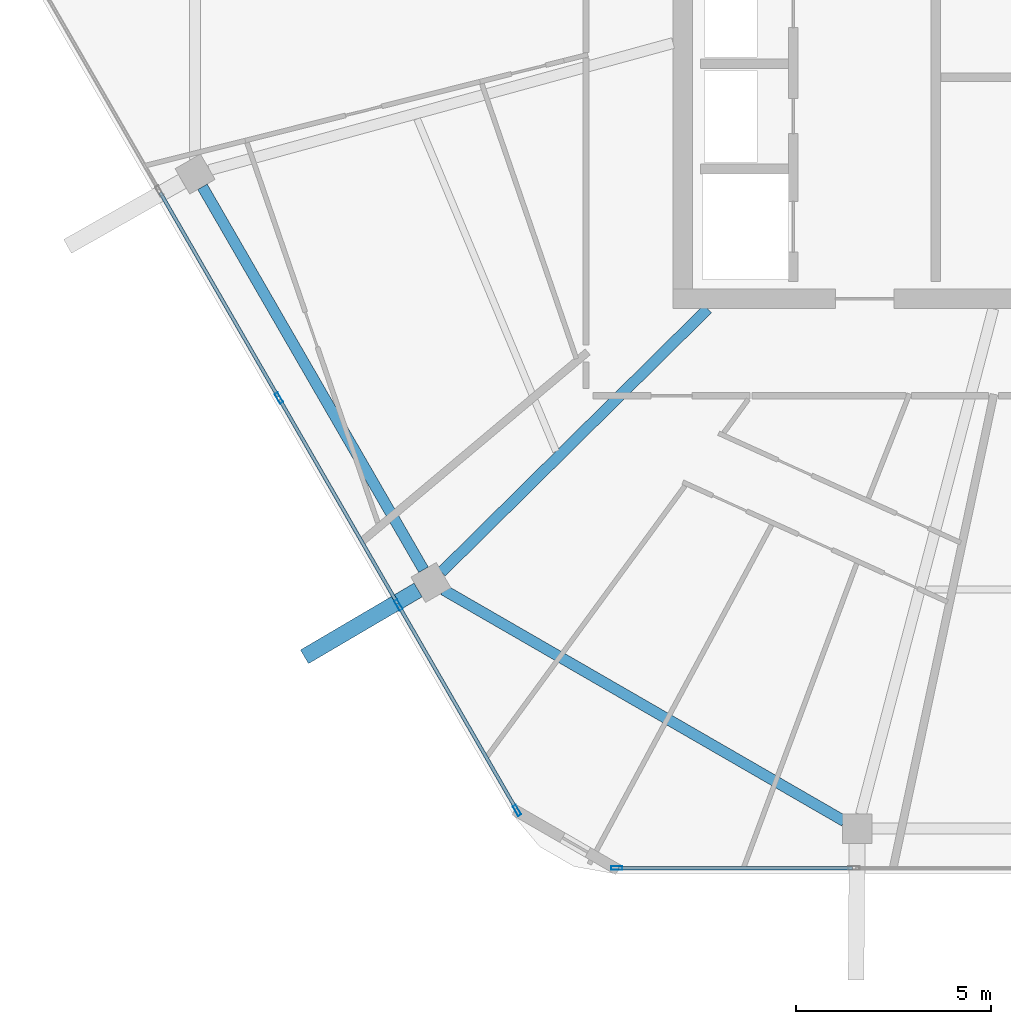
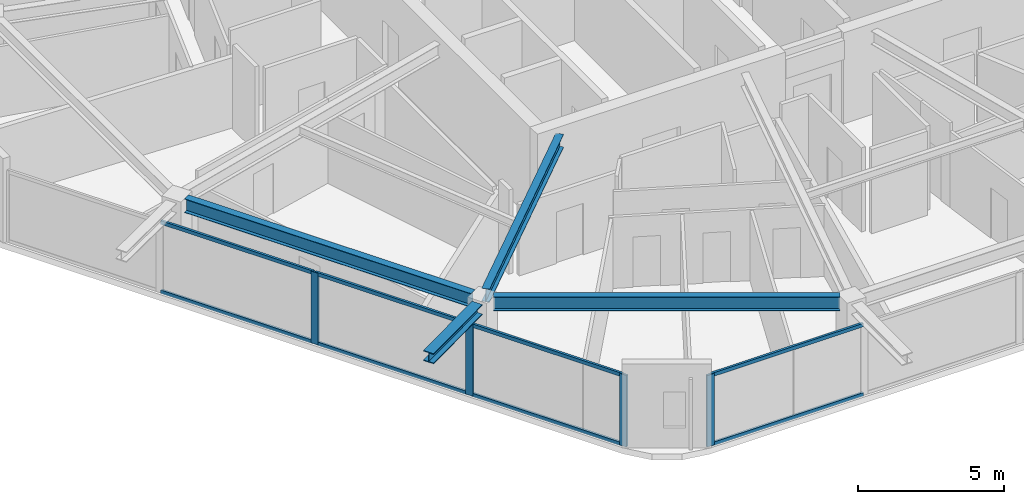
# One storey, part 2 of 23: 12 members, 4 beams, 2 elements without a shape of their own.
"""IFC4 building model written with IfcOpenShell, lengths in metres."""

import ifcopenshell
import ifcopenshell.guid

model = None  # the IFC model being written
_history = None  # IfcOwnerHistory: only IFC2X3 demands one
_inside = {}  # id of a spatial element -> (the spatial element, [elements in it])
_under = {}  # id of a project, library or spatial element -> (it, [spatial elements below it])
_declared = {}  # id of a project -> (the project, [libraries it declares])
_typed = {}  # id of a type object -> (the type object, [elements of that type])
_made_of = {}  # id of a material, layer set ... -> (it, [elements and type objects made of it])


def new_model(schema):
    """Start an empty IFC model of exactly this schema.

    Asked for "IFC4X3", IfcOpenShell would pick the latest addendum, in which some entities
    have other attributes; the version numbers below select the first issue.
    IFC2X3 requires an IfcOwnerHistory on every rooted entity: one is made here for all.
    """
    global model, _history
    if schema == "IFC4X3":
        model = ifcopenshell.file(schema_version=(4, 3, 0, 0))
    else:
        model = ifcopenshell.file(schema=schema)
    _inside.clear()
    _under.clear()
    _declared.clear()
    _typed.clear()
    _made_of.clear()
    _history = None
    if model.schema == "IFC2X3":
        org = make("IfcOrganization", Name="unknown")
        user = make(
            "IfcPersonAndOrganization",
            ThePerson=make("IfcPerson", FamilyName="unknown"),
            TheOrganization=org,
        )
        app = make(
            "IfcApplication",
            ApplicationDeveloper=org,
            Version="unknown",
            ApplicationFullName="unknown",
            ApplicationIdentifier="unknown",
        )
        _history = make(
            "IfcOwnerHistory",
            OwningUser=user,
            OwningApplication=app,
            ChangeAction="ADDED",
            CreationDate=0,
        )
    return model


def make(cls, **values):
    """One entity of the class cls with the attributes given. An attribute that is None is left unset."""
    return model.create_entity(
        cls, **{name: value for name, value in values.items() if value is not None}
    )


def rooted(cls, **values):
    """An entity with a GlobalId (a new one), such as an element, a storey or a relation."""
    return make(cls, GlobalId=ifcopenshell.guid.new(), OwnerHistory=_history, **values)


def si_unit(unit_type, name, prefix=None):
    """IfcSIUnit, for example si_unit("LENGTHUNIT", "METRE", prefix="MILLI")."""
    return make("IfcSIUnit", UnitType=unit_type, Prefix=prefix, Name=name)


def assignment(units):
    """IfcUnitAssignment: the units of a project."""
    return None if units is None else make("IfcUnitAssignment", Units=units)


def point(xyz):
    """IfcCartesianPoint."""
    return None if xyz is None else make("IfcCartesianPoint", Coordinates=xyz)


def direction(xyz):
    """IfcDirection."""
    return None if xyz is None else make("IfcDirection", DirectionRatios=xyz)


def frame(location, z_axis=None, x_axis=None):
    """IfcAxis2Placement3D, a coordinate frame: its origin and axes. An axis left out is left unset."""
    return make(
        "IfcAxis2Placement3D",
        Location=point(location),
        Axis=direction(z_axis),
        RefDirection=direction(x_axis),
    )


def frame_2d(location, x_axis=None):
    """IfcAxis2Placement2D, a coordinate frame in the plane: its origin and x axis."""
    return make(
        "IfcAxis2Placement2D", Location=point(location), RefDirection=direction(x_axis)
    )


def origin():
    """The frame at (0, 0, 0) with its axes left unset."""
    return frame((0.0, 0.0, 0.0))


def origin_2d():
    """The frame at (0, 0) in the plane with its x axis left unset."""
    return frame_2d((0.0, 0.0))


def place(relative_to, where):
    """IfcLocalPlacement: puts the frame where relative to a parent placement (None: the world)."""
    return make(
        "IfcLocalPlacement", PlacementRelTo=relative_to, RelativePlacement=where
    )


def context(
    kind, dimensions, precision=None, world=None, true_north=None, identifier=None
):
    """IfcGeometricRepresentationContext, for example the 3D "Model" context."""
    return make(
        "IfcGeometricRepresentationContext",
        ContextIdentifier=identifier,
        ContextType=kind,
        CoordinateSpaceDimension=dimensions,
        Precision=precision,
        WorldCoordinateSystem=world,
        TrueNorth=true_north,
    )


def subcontext(parent, identifier, kind, view, scale=None):
    """IfcGeometricRepresentationSubContext, for example "Body" below "Model"."""
    return make(
        "IfcGeometricRepresentationSubContext",
        ContextIdentifier=identifier,
        ContextType=kind,
        ParentContext=parent,
        TargetScale=scale,
        TargetView=view,
    )


def project(units=None, contexts=None):
    """IfcProject with its units and contexts."""
    return rooted(
        "IfcProject",
        Name="project",
        RepresentationContexts=contexts,
        UnitsInContext=assignment(units),
    )


def spatial(cls, under=None, at=None, **own):
    """A site, building, storey or space (cls), placed at a placement, below another one or the project."""
    s = rooted(cls, ObjectPlacement=at, **own)
    if under is not None:
        _under.setdefault(under.id(), (under, []))[1].append(s)
    return s


def profile(cls, at=None, kind="AREA", **sizes):
    """A parametric profile (cls). Its sizes go by their IFC names, for example OverallWidth=200.0."""
    return make(cls, ProfileType=kind, Position=at, **sizes)


def hollow_rectangle(**sizes):
    """IfcRectangleHollowProfileDef."""
    return profile("IfcRectangleHollowProfileDef", **sizes)


def i_section(**sizes):
    """IfcIShapeProfileDef."""
    return profile("IfcIShapeProfileDef", **sizes)


def extrude(swept, where, along, depth):
    """IfcExtrudedAreaSolid: the profile swept, set in the frame where, extruded along a direction by depth."""
    return make(
        "IfcExtrudedAreaSolid",
        SweptArea=swept,
        Position=where,
        ExtrudedDirection=direction(along),
        Depth=depth,
    )


def shape(context_of_items, identifier, shape_type, items):
    """IfcShapeRepresentation: the items that make up one representation, for example the "Body"."""
    return make(
        "IfcShapeRepresentation",
        ContextOfItems=context_of_items,
        RepresentationIdentifier=identifier,
        RepresentationType=shape_type,
        Items=items,
    )


def material(Name=None, Category=None):
    """IfcMaterial."""
    return make("IfcMaterial", Name=Name, Category=Category)


def material_profile(
    of_material, cross_section, Name=None, Category=None, Priority=None
):
    """IfcMaterialProfile: a cross section and its material."""
    return make(
        "IfcMaterialProfile",
        Name=Name,
        Material=of_material,
        Profile=cross_section,
        Priority=Priority,
        Category=Category,
    )


def profile_set(profiles, Name=None, composite=None):
    """IfcMaterialProfileSet."""
    return make(
        "IfcMaterialProfileSet",
        Name=Name,
        MaterialProfiles=profiles,
        CompositeProfile=composite,
    )


def made_of(thing, what):
    """Note that an element or type object is made of a material, layer set ...; save() writes the relation."""
    if what is not None:
        _made_of.setdefault(what.id(), (what, []))[1].append(thing)
    return thing


def type_object(cls, material=None, **own):
    """A type object (cls), such as IfcWallType, which elements share."""
    return made_of(rooted(cls, **own), material)


def element(
    cls,
    number,
    at=None,
    inside=None,
    cuts=None,
    type_object=None,
    material=None,
    context=None,
    identifier="Body",
    shape_type=None,
    held_by="IfcProductDefinitionShape",
    body=None,
    shapes=None,
    **own,
):
    """One element of the class cls, such as IfcWall. Its Tag is "e" and its number.

    at: its placement. inside: the storey or other place that contains it. cuts: it is an
    opening in that element (IfcRelVoidsElement). A single representation is given by context,
    identifier, shape_type and body (its items); several are given by shapes. held_by: the class
    of the entity that holds the representations. save() writes the other relations.
    """
    e = rooted(cls, Tag="e%d" % number, ObjectPlacement=at, **own)
    if body is not None:
        shapes = [shape(context, identifier, shape_type, body)]
    if shapes is not None:
        e.Representation = make(held_by, Representations=shapes)
    if inside is not None:
        _inside.setdefault(inside.id(), (inside, []))[1].append(e)
    if cuts is not None:
        rooted(
            "IfcRelVoidsElement", RelatingBuildingElement=cuts, RelatedOpeningElement=e
        )
    if type_object is not None:
        _typed.setdefault(type_object.id(), (type_object, []))[1].append(e)
    return made_of(e, material)


def aggregate(whole, parts):
    """IfcRelAggregates: a whole, such as a stair, and the parts it consists of."""
    return rooted("IfcRelAggregates", RelatingObject=whole, RelatedObjects=parts)


def save(model, path):
    """Write the relations noted so far, then the file.

    IfcRelAggregates (storeys below a building ...), IfcRelContainedInSpatialStructure (elements
    in a storey), IfcRelDefinesByType, IfcRelAssociatesMaterial and IfcRelDeclares: one each for
    every whole, place, type object, material and project.
    """
    for whole, parts in _under.values():
        aggregate(whole, parts)
    for where, things in _inside.values():
        rooted(
            "IfcRelContainedInSpatialStructure",
            RelatedElements=things,
            RelatingStructure=where,
        )
    for kind, things in _typed.values():
        rooted("IfcRelDefinesByType", RelatedObjects=things, RelatingType=kind)
    for what, things in _made_of.values():
        rooted("IfcRelAssociatesMaterial", RelatedObjects=things, RelatingMaterial=what)
    for by, libraries in _declared.values():
        rooted("IfcRelDeclares", RelatingContext=by, RelatedDefinitions=libraries)
    model.write(path)


model = new_model("IFC4")

# Units and contexts
model_context = context("Model", 3, precision=1e-05, world=origin(), true_north=direction((0.0, 1.0)))
body_context = subcontext(model_context, "Body", "Model", "MODEL_VIEW")
ifc_project = project(units=[si_unit("LENGTHUNIT", "METRE"), si_unit("AREAUNIT", "SQUARE_METRE"), si_unit("VOLUMEUNIT", "CUBIC_METRE"), si_unit("PLANEANGLEUNIT", "RADIAN"), si_unit("MASSUNIT", "GRAM", prefix="KILO")], contexts=[model_context])

# Site, building, storey
site_placement = place(None, origin())
site = spatial("IfcSite", under=ifc_project, at=site_placement, CompositionType="ELEMENT")
building_placement = place(site_placement, origin())
building = spatial("IfcBuilding", under=site, at=building_placement, Name="Zuhravey Tower", CompositionType="ELEMENT")
storey_placement = place(building_placement, frame((0.0, 0.0, 350.0)))
storey = spatial("IfcBuildingStorey", under=building, at=storey_placement, Name="L89", CompositionType="ELEMENT", Elevation=350.0)

# Curtain wall, member
ifc_material_1 = material(Name="Thermally broken anodised aluminium", Category="aluminium")
curtain_wall_type = type_object("IfcCurtainWallType", Name="Zone 3-4 High-Rise Curtain Wall CW4", PredefinedType="NOTDEFINED", material=ifc_material_1)
curtain_wall_1_placement = place(storey_placement, origin())
curtain_wall_1 = element("IfcCurtainWall", 1, at=curtain_wall_1_placement, inside=storey, type_object=curtain_wall_type, Name="L89 CW4 CW-L89-F5-1", PredefinedType="NOTDEFINED")
ifc_material_2 = material(Name="Anodised aluminium", Category="aluminium")
ifc_material_profile_1 = material_profile(ifc_material_2, hollow_rectangle(XDim=0.090087890625, YDim=0.284912109375, WallThickness=0.0048828125, at=origin_2d()), Name="ALU-RHS-90x285x5")
ifc_profile_set_1 = profile_set([ifc_material_profile_1], Name="Anodised aluminium")
member_type_1 = type_object("IfcMemberType", Name="Curtain-Wall Mullion 90x180", PredefinedType="MULLION", material=ifc_profile_set_1)
member_1_placement = place(storey_placement, frame((23.8056640625, 7.92578125, 0.0), z_axis=(0.0, 0.0, 1.0), x_axis=(0.0, -1.0, 0.0)))
member_1 = element("IfcMember", 2, at=member_1_placement, type_object=member_type_1, Name="CW4 mullion 5", PredefinedType="MULLION", context=body_context, shape_type="SweptSolid", body=[
    extrude(hollow_rectangle(XDim=0.090087890625, YDim=0.284912109375, WallThickness=0.0048828125, at=origin_2d()), origin(), (0.0, 0.0, 1.0), 2.987060546875),
])

# Curtain wall, members
curtain_wall_2_placement = place(storey_placement, origin())
curtain_wall_2 = element("IfcCurtainWall", 3, at=curtain_wall_2_placement, inside=storey, type_object=curtain_wall_type, Name="L89 CW4 CW-L89-F4-1", PredefinedType="NOTDEFINED")
member_2_placement = place(storey_placement, frame((21.248291015625, 9.40234375, 0.0), z_axis=(0.0, 0.0, 1.0), x_axis=(-0.866025511541, -0.49999981336, 0.0)))
member_2 = element("IfcMember", 4, at=member_2_placement, type_object=member_type_1, Name="CW4 mullion 1", PredefinedType="MULLION", context=body_context, shape_type="SweptSolid", body=[
    extrude(hollow_rectangle(XDim=0.090087890625, YDim=0.284912109375, WallThickness=0.0048828125, at=origin_2d()), origin(), (0.0, 0.0, 1.0), 2.987060546875),
])
member_3_placement = place(storey_placement, frame((18.211181640625, 14.6630859375, 0.0), z_axis=(0.0, 0.0, 1.0), x_axis=(-0.866025511541, -0.49999981336, 0.0)))
member_3 = element("IfcMember", 5, at=member_3_placement, type_object=member_type_1, Name="CW4 mullion 2", PredefinedType="MULLION", context=body_context, shape_type="SweptSolid", body=[
    extrude(hollow_rectangle(XDim=0.090087890625, YDim=0.284912109375, WallThickness=0.0048828125, at=origin_2d()), origin(), (0.0, 0.0, 1.0), 2.987060546875),
])
member_4_placement = place(storey_placement, frame((15.1513671875, 19.962890625, 0.0), z_axis=(0.0, 0.0, 1.0), x_axis=(-0.866025511541, -0.49999981336, 0.0)))
member_4 = element("IfcMember", 6, at=member_4_placement, type_object=member_type_1, Name="CW4 mullion 3", PredefinedType="MULLION", context=body_context, shape_type="SweptSolid", body=[
    extrude(hollow_rectangle(XDim=0.090087890625, YDim=0.284912109375, WallThickness=0.0048828125, at=origin_2d()), origin(), (0.0, 0.0, 1.0), 2.987060546875),
])

# Member
ifc_material_profile_2 = material_profile(ifc_material_2, hollow_rectangle(XDim=0.090087890625, YDim=0.14990234375, WallThickness=0.0048828125, at=origin_2d()), Name="ALU-RHS-90x150x5")
ifc_profile_set_2 = profile_set([ifc_material_profile_2], Name="Anodised aluminium")
member_type_2 = type_object("IfcMemberType", Name="Curtain-Wall Transom 90x150", PredefinedType="USERDEFINED", material=ifc_profile_set_2)
member_5_placement = place(storey_placement, frame((29.83544921875, 7.92578125, 0.044921875), z_axis=(-1.0, 0.0, 0.0), x_axis=(0.0, -1.0, 0.0)))
member_5 = element("IfcMember", 7, at=member_5_placement, type_object=member_type_2, Name="CW4 transom 4.1", ObjectType="TRANSOM", PredefinedType="USERDEFINED", context=body_context, shape_type="SweptSolid", body=[
    extrude(hollow_rectangle(XDim=0.090087890625, YDim=0.14990234375, WallThickness=0.0048828125, at=origin_2d()), origin(), (0.0, 0.0, 1.0), 5.98486328125),
])

member_6_placement = place(storey_placement, frame((29.83544921875, 7.92578125, 2.94189453125), z_axis=(-1.0, 0.0, 0.0), x_axis=(0.0, -1.0, 0.0)))
member_6 = element("IfcMember", 8, at=member_6_placement, type_object=member_type_2, Name="CW4 transom 4.2", ObjectType="TRANSOM", PredefinedType="USERDEFINED", context=body_context, shape_type="SweptSolid", body=[
    extrude(hollow_rectangle(XDim=0.090087890625, YDim=0.14990234375, WallThickness=0.0048828125, at=origin_2d()), origin(), (0.0, 0.0, 1.0), 5.98486328125),
])

aggregate(curtain_wall_1, [member_1, member_5, member_6])

member_7_placement = place(storey_placement, frame((21.225830078125, 9.44140625, 0.044921875), z_axis=(-0.499982594807, 0.866035452444, 0.0), x_axis=(-0.866035452444, -0.499982594807, 0.0)))
member_7 = element("IfcMember", 9, at=member_7_placement, type_object=member_type_2, Name="CW4 transom 1.1", ObjectType="TRANSOM", PredefinedType="USERDEFINED", context=body_context, shape_type="SweptSolid", body=[
    extrude(hollow_rectangle(XDim=0.090087890625, YDim=0.14990234375, WallThickness=0.0048828125, at=origin_2d()), origin(), (0.0, 0.0, 1.0), 5.984619140625),
])

member_8_placement = place(storey_placement, frame((21.225830078125, 9.44140625, 2.94189453125), z_axis=(-0.499982594807, 0.866035452444, 0.0), x_axis=(-0.866035452444, -0.499982594807, 0.0)))
member_8 = element("IfcMember", 10, at=member_8_placement, type_object=member_type_2, Name="CW4 transom 1.2", ObjectType="TRANSOM", PredefinedType="USERDEFINED", context=body_context, shape_type="SweptSolid", body=[
    extrude(hollow_rectangle(XDim=0.090087890625, YDim=0.14990234375, WallThickness=0.0048828125, at=origin_2d()), origin(), (0.0, 0.0, 1.0), 5.984619140625),
])

member_9_placement = place(storey_placement, frame((18.1884765625, 14.7021484375, 0.044921875), z_axis=(-0.499971305196, 0.866041970103, 0.0), x_axis=(-0.866041970103, -0.499971305196, 0.0)))
member_9 = element("IfcMember", 11, at=member_9_placement, type_object=member_type_2, Name="CW4 transom 2.1", ObjectType="TRANSOM", PredefinedType="USERDEFINED", context=body_context, shape_type="SweptSolid", body=[
    extrude(hollow_rectangle(XDim=0.090087890625, YDim=0.14990234375, WallThickness=0.0048828125, at=origin_2d()), origin(), (0.0, 0.0, 1.0), 6.029541015625),
])

member_10_placement = place(storey_placement, frame((18.1884765625, 14.7021484375, 2.94189453125), z_axis=(-0.499971305196, 0.866041970103, 0.0), x_axis=(-0.866041970103, -0.499971305196, 0.0)))
member_10 = element("IfcMember", 12, at=member_10_placement, type_object=member_type_2, Name="CW4 transom 2.2", ObjectType="TRANSOM", PredefinedType="USERDEFINED", context=body_context, shape_type="SweptSolid", body=[
    extrude(hollow_rectangle(XDim=0.090087890625, YDim=0.14990234375, WallThickness=0.0048828125, at=origin_2d()), origin(), (0.0, 0.0, 1.0), 6.029541015625),
])

member_11_placement = place(storey_placement, frame((15.128662109375, 20.001953125, 0.044921875), z_axis=(-0.499988837749, 0.866031848217, 0.0), x_axis=(-0.866031848217, -0.499988837749, 0.0)))
member_11 = element("IfcMember", 13, at=member_11_placement, type_object=member_type_2, Name="CW4 transom 3.1", ObjectType="TRANSOM", PredefinedType="USERDEFINED", context=body_context, shape_type="SweptSolid", body=[
    extrude(hollow_rectangle(XDim=0.090087890625, YDim=0.14990234375, WallThickness=0.0048828125, at=origin_2d()), origin(), (0.0, 0.0, 1.0), 6.029541015625),
])

member_12_placement = place(storey_placement, frame((15.128662109375, 20.001953125, 2.94189453125), z_axis=(-0.499988837749, 0.866031848217, 0.0), x_axis=(-0.866031848217, -0.499988837749, 0.0)))
member_12 = element("IfcMember", 14, at=member_12_placement, type_object=member_type_2, Name="CW4 transom 3.2", ObjectType="TRANSOM", PredefinedType="USERDEFINED", context=body_context, shape_type="SweptSolid", body=[
    extrude(hollow_rectangle(XDim=0.090087890625, YDim=0.14990234375, WallThickness=0.0048828125, at=origin_2d()), origin(), (0.0, 0.0, 1.0), 6.029541015625),
])

aggregate(curtain_wall_2, [member_2, member_3, member_4, member_7, member_8, member_9, member_10, member_11, member_12])

# Beams
ifc_material_3 = material(Name="Steel SM460", Category="steel")
ifc_material_profile_3 = material_profile(ifc_material_3, i_section(OverallWidth=0.406982421875, OverallDepth=0.427978515625, WebThickness=0.02001953125, FlangeThickness=0.034912109375, at=origin_2d()), Name="H-428x407x20x35")
ifc_profile_set_3 = profile_set([ifc_material_profile_3], Name="Steel SM460")
beam_type_1 = type_object("IfcBeamType", Name="Exoskeleton Node Tie Beam H428x407", PredefinedType="BEAM", material=ifc_profile_set_3)
beam_1_placement = place(storey_placement, frame((18.718505859375, 15.04638671875, 3.200927734375), z_axis=(-0.862172060963, -0.506615571509, 0.0), x_axis=(0.506615571509, -0.862172060963, 0.0)))
element("IfcBeam", 15, at=beam_1_placement, inside=storey, type_object=beam_type_1, Name="L89 Exoskeleton Node Tie NT1-08", PredefinedType="BEAM", context=body_context, shape_type="SweptSolid", body=[
    extrude(i_section(OverallWidth=0.406982421875, OverallDepth=0.427978515625, WebThickness=0.02001953125, FlangeThickness=0.034912109375, at=origin_2d()), origin(), (0.0, 0.0, 1.0), 3.376220703125),
])
ifc_material_4 = material(Name="Steel SM355", Category="steel")
ifc_material_profile_4 = material_profile(ifc_material_4, i_section(OverallWidth=0.280029296875, OverallDepth=0.580078125, WebThickness=0.011962890625, FlangeThickness=0.01904296875, at=origin_2d()), Name="H-580x280x12x19")
ifc_profile_set_4 = profile_set([ifc_material_profile_4], Name="Steel SM355")
beam_type_2 = type_object("IfcBeamType", Name="Perimeter Ring Beam H580x280", PredefinedType="BEAM", material=ifc_profile_set_4)
beam_2_placement = place(storey_placement, frame((13.195556640625, 25.370361328125, 3.22998046875), z_axis=(0.499993743963, -0.866029015679, 0.0), x_axis=(0.866029015679, 0.499993743963, 0.0)))
element("IfcBeam", 16, at=beam_2_placement, inside=storey, type_object=beam_type_2, Name="L89 PB4 BM-L89-PB-07", PredefinedType="BEAM", context=body_context, shape_type="SweptSolid", body=[
    extrude(i_section(OverallWidth=0.280029296875, OverallDepth=0.580078125, WebThickness=0.011962890625, FlangeThickness=0.01904296875, at=origin_2d()), origin(), (0.0, 0.0, 1.0), 11.321533203125),
])
beam_3_placement = place(storey_placement, frame((19.37255859375, 15.04931640625, 3.22998046875), z_axis=(0.866030838723, -0.499990586292, 0.0), x_axis=(0.499990586292, 0.866030838723, 0.0)))
element("IfcBeam", 17, at=beam_3_placement, inside=storey, type_object=beam_type_2, Name="L89 PB4 BM-L89-PB-08", PredefinedType="BEAM", context=body_context, shape_type="SweptSolid", body=[
    extrude(i_section(OverallWidth=0.280029296875, OverallDepth=0.580078125, WebThickness=0.011962890625, FlangeThickness=0.01904296875, at=origin_2d()), origin(), (0.0, 0.0, 1.0), 11.848876953125),
])
ifc_material_profile_5 = material_profile(ifc_material_4, i_section(OverallWidth=0.280029296875, OverallDepth=0.550048828125, WebThickness=0.010986328125, FlangeThickness=0.01806640625, at=origin_2d()), Name="H-550x280x11x18")
ifc_profile_set_5 = profile_set([ifc_material_profile_5], Name="Steel SM355")
beam_type_3 = type_object("IfcBeamType", Name="Radial Primary Girder H550x280", PredefinedType="BEAM", material=ifc_profile_set_5)
beam_4_placement = place(storey_placement, frame((26.134765625, 22.2470703125, 3.2451171875), z_axis=(-0.711142578304, -0.703047817238, 0.0), x_axis=(0.703047817238, -0.711142578304, 0.0)))
element("IfcBeam", 18, at=beam_4_placement, inside=storey, type_object=beam_type_3, Name="L89 RG4 BM-L89-RAD-08", PredefinedType="BEAM", context=body_context, shape_type="SweptSolid", body=[
    extrude(i_section(OverallWidth=0.280029296875, OverallDepth=0.550048828125, WebThickness=0.010986328125, FlangeThickness=0.01806640625, at=origin_2d()), origin(), (0.0, 0.0, 1.0), 9.591064453125),
])

save(model, "model.ifc")
